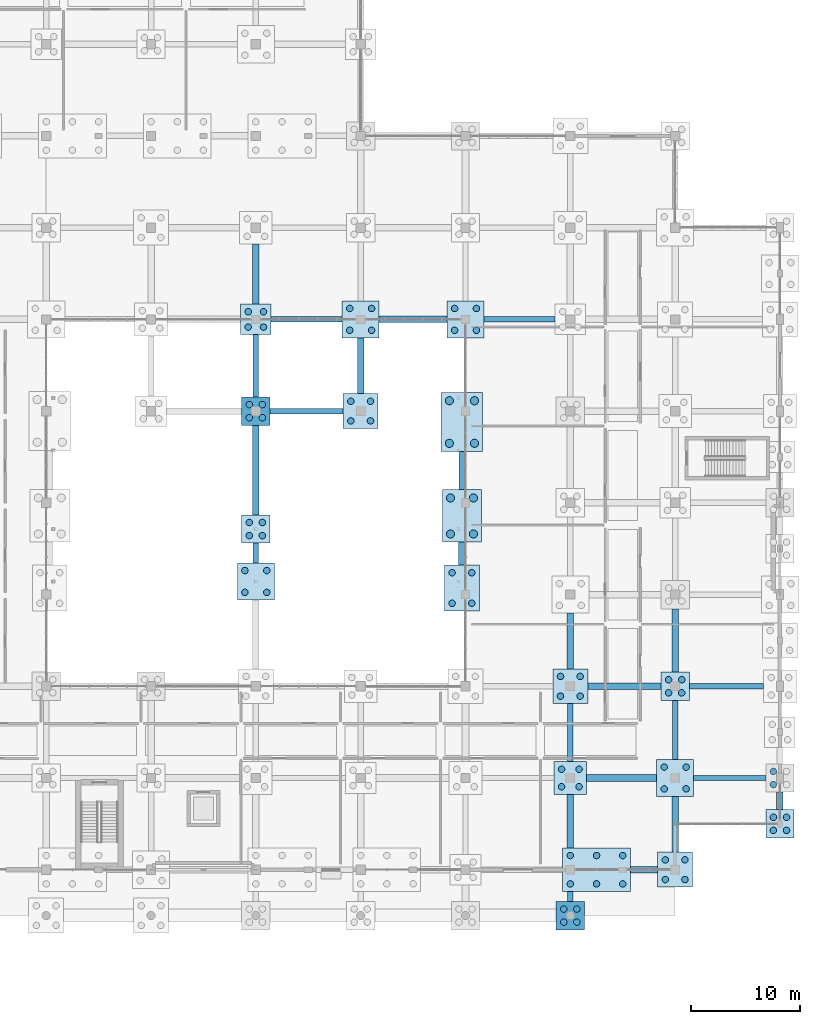
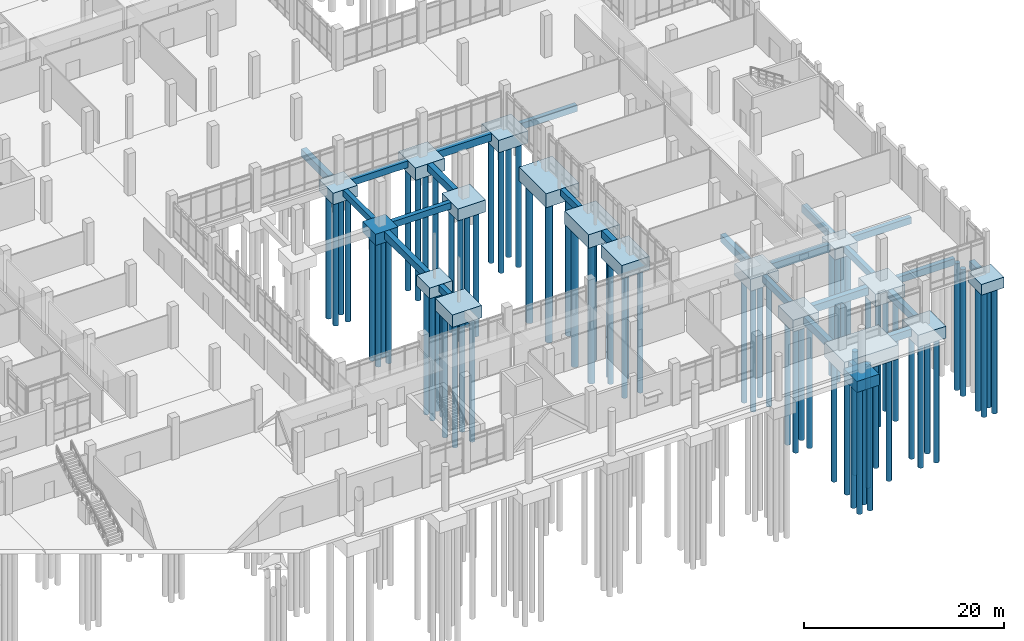
# One storey, part 13 of 136: 76 piles, 42 footings.
"""IFC4 building model written with IfcOpenShell, lengths in metres."""

import ifcopenshell
import ifcopenshell.guid

model = None  # the IFC model being written
_history = None  # IfcOwnerHistory: only IFC2X3 demands one
_inside = {}  # id of a spatial element -> (the spatial element, [elements in it])
_under = {}  # id of a project, library or spatial element -> (it, [spatial elements below it])
_declared = {}  # id of a project -> (the project, [libraries it declares])
_typed = {}  # id of a type object -> (the type object, [elements of that type])
_made_of = {}  # id of a material, layer set ... -> (it, [elements and type objects made of it])


def new_model(schema):
    """Start an empty IFC model of exactly this schema.

    Asked for "IFC4X3", IfcOpenShell would pick the latest addendum, in which some entities
    have other attributes; the version numbers below select the first issue.
    IFC2X3 requires an IfcOwnerHistory on every rooted entity: one is made here for all.
    """
    global model, _history
    if schema == "IFC4X3":
        model = ifcopenshell.file(schema_version=(4, 3, 0, 0))
    else:
        model = ifcopenshell.file(schema=schema)
    _inside.clear()
    _under.clear()
    _declared.clear()
    _typed.clear()
    _made_of.clear()
    _history = None
    if model.schema == "IFC2X3":
        org = make("IfcOrganization", Name="unknown")
        user = make(
            "IfcPersonAndOrganization",
            ThePerson=make("IfcPerson", FamilyName="unknown"),
            TheOrganization=org,
        )
        app = make(
            "IfcApplication",
            ApplicationDeveloper=org,
            Version="unknown",
            ApplicationFullName="unknown",
            ApplicationIdentifier="unknown",
        )
        _history = make(
            "IfcOwnerHistory",
            OwningUser=user,
            OwningApplication=app,
            ChangeAction="ADDED",
            CreationDate=0,
        )
    return model


def make(cls, **values):
    """One entity of the class cls with the attributes given. An attribute that is None is left unset."""
    return model.create_entity(
        cls, **{name: value for name, value in values.items() if value is not None}
    )


def rooted(cls, **values):
    """An entity with a GlobalId (a new one), such as an element, a storey or a relation."""
    return make(cls, GlobalId=ifcopenshell.guid.new(), OwnerHistory=_history, **values)


def si_unit(unit_type, name, prefix=None):
    """IfcSIUnit, for example si_unit("LENGTHUNIT", "METRE", prefix="MILLI")."""
    return make("IfcSIUnit", UnitType=unit_type, Prefix=prefix, Name=name)


def assignment(units):
    """IfcUnitAssignment: the units of a project."""
    return None if units is None else make("IfcUnitAssignment", Units=units)


def point(xyz):
    """IfcCartesianPoint."""
    return None if xyz is None else make("IfcCartesianPoint", Coordinates=xyz)


def direction(xyz):
    """IfcDirection."""
    return None if xyz is None else make("IfcDirection", DirectionRatios=xyz)


def frame(location, z_axis=None, x_axis=None):
    """IfcAxis2Placement3D, a coordinate frame: its origin and axes. An axis left out is left unset."""
    return make(
        "IfcAxis2Placement3D",
        Location=point(location),
        Axis=direction(z_axis),
        RefDirection=direction(x_axis),
    )


def frame_2d(location, x_axis=None):
    """IfcAxis2Placement2D, a coordinate frame in the plane: its origin and x axis."""
    return make(
        "IfcAxis2Placement2D", Location=point(location), RefDirection=direction(x_axis)
    )


def origin():
    """The frame at (0, 0, 0) with its axes left unset."""
    return frame((0.0, 0.0, 0.0))


def origin_2d():
    """The frame at (0, 0) in the plane with its x axis left unset."""
    return frame_2d((0.0, 0.0))


def place(relative_to, where):
    """IfcLocalPlacement: puts the frame where relative to a parent placement (None: the world)."""
    return make(
        "IfcLocalPlacement", PlacementRelTo=relative_to, RelativePlacement=where
    )


def context(
    kind, dimensions, precision=None, world=None, true_north=None, identifier=None
):
    """IfcGeometricRepresentationContext, for example the 3D "Model" context."""
    return make(
        "IfcGeometricRepresentationContext",
        ContextIdentifier=identifier,
        ContextType=kind,
        CoordinateSpaceDimension=dimensions,
        Precision=precision,
        WorldCoordinateSystem=world,
        TrueNorth=true_north,
    )


def subcontext(parent, identifier, kind, view, scale=None):
    """IfcGeometricRepresentationSubContext, for example "Body" below "Model"."""
    return make(
        "IfcGeometricRepresentationSubContext",
        ContextIdentifier=identifier,
        ContextType=kind,
        ParentContext=parent,
        TargetScale=scale,
        TargetView=view,
    )


def project(units=None, contexts=None):
    """IfcProject with its units and contexts."""
    return rooted(
        "IfcProject",
        Name="project",
        RepresentationContexts=contexts,
        UnitsInContext=assignment(units),
    )


def spatial(cls, under=None, at=None, **own):
    """A site, building, storey or space (cls), placed at a placement, below another one or the project."""
    s = rooted(cls, ObjectPlacement=at, **own)
    if under is not None:
        _under.setdefault(under.id(), (under, []))[1].append(s)
    return s


def profile(cls, at=None, kind="AREA", **sizes):
    """A parametric profile (cls). Its sizes go by their IFC names, for example OverallWidth=200.0."""
    return make(cls, ProfileType=kind, Position=at, **sizes)


def rectangle(**sizes):
    """IfcRectangleProfileDef."""
    return profile("IfcRectangleProfileDef", **sizes)


def circle(**sizes):
    """IfcCircleProfileDef."""
    return profile("IfcCircleProfileDef", **sizes)


def extrude(swept, where, along, depth):
    """IfcExtrudedAreaSolid: the profile swept, set in the frame where, extruded along a direction by depth."""
    return make(
        "IfcExtrudedAreaSolid",
        SweptArea=swept,
        Position=where,
        ExtrudedDirection=direction(along),
        Depth=depth,
    )


def shape(context_of_items, identifier, shape_type, items):
    """IfcShapeRepresentation: the items that make up one representation, for example the "Body"."""
    return make(
        "IfcShapeRepresentation",
        ContextOfItems=context_of_items,
        RepresentationIdentifier=identifier,
        RepresentationType=shape_type,
        Items=items,
    )


def material(Name=None, Category=None):
    """IfcMaterial."""
    return make("IfcMaterial", Name=Name, Category=Category)


def material_profile(
    of_material, cross_section, Name=None, Category=None, Priority=None
):
    """IfcMaterialProfile: a cross section and its material."""
    return make(
        "IfcMaterialProfile",
        Name=Name,
        Material=of_material,
        Profile=cross_section,
        Priority=Priority,
        Category=Category,
    )


def profile_set(profiles, Name=None, composite=None):
    """IfcMaterialProfileSet."""
    return make(
        "IfcMaterialProfileSet",
        Name=Name,
        MaterialProfiles=profiles,
        CompositeProfile=composite,
    )


def made_of(thing, what):
    """Note that an element or type object is made of a material, layer set ...; save() writes the relation."""
    if what is not None:
        _made_of.setdefault(what.id(), (what, []))[1].append(thing)
    return thing


def type_object(cls, material=None, **own):
    """A type object (cls), such as IfcWallType, which elements share."""
    return made_of(rooted(cls, **own), material)


def element(
    cls,
    number,
    at=None,
    inside=None,
    cuts=None,
    type_object=None,
    material=None,
    context=None,
    identifier="Body",
    shape_type=None,
    held_by="IfcProductDefinitionShape",
    body=None,
    shapes=None,
    **own,
):
    """One element of the class cls, such as IfcWall. Its Tag is "e" and its number.

    at: its placement. inside: the storey or other place that contains it. cuts: it is an
    opening in that element (IfcRelVoidsElement). A single representation is given by context,
    identifier, shape_type and body (its items); several are given by shapes. held_by: the class
    of the entity that holds the representations. save() writes the other relations.
    """
    e = rooted(cls, Tag="e%d" % number, ObjectPlacement=at, **own)
    if body is not None:
        shapes = [shape(context, identifier, shape_type, body)]
    if shapes is not None:
        e.Representation = make(held_by, Representations=shapes)
    if inside is not None:
        _inside.setdefault(inside.id(), (inside, []))[1].append(e)
    if cuts is not None:
        rooted(
            "IfcRelVoidsElement", RelatingBuildingElement=cuts, RelatedOpeningElement=e
        )
    if type_object is not None:
        _typed.setdefault(type_object.id(), (type_object, []))[1].append(e)
    return made_of(e, material)


def aggregate(whole, parts):
    """IfcRelAggregates: a whole, such as a stair, and the parts it consists of."""
    return rooted("IfcRelAggregates", RelatingObject=whole, RelatedObjects=parts)


def save(model, path):
    """Write the relations noted so far, then the file.

    IfcRelAggregates (storeys below a building ...), IfcRelContainedInSpatialStructure (elements
    in a storey), IfcRelDefinesByType, IfcRelAssociatesMaterial and IfcRelDeclares: one each for
    every whole, place, type object, material and project.
    """
    for whole, parts in _under.values():
        aggregate(whole, parts)
    for where, things in _inside.values():
        rooted(
            "IfcRelContainedInSpatialStructure",
            RelatedElements=things,
            RelatingStructure=where,
        )
    for kind, things in _typed.values():
        rooted("IfcRelDefinesByType", RelatedObjects=things, RelatingType=kind)
    for what, things in _made_of.values():
        rooted("IfcRelAssociatesMaterial", RelatedObjects=things, RelatingMaterial=what)
    for by, libraries in _declared.values():
        rooted("IfcRelDeclares", RelatingContext=by, RelatedDefinitions=libraries)
    model.write(path)


model = new_model("IFC4")

# Units and contexts
model_context = context("Model", 3, precision=1e-05, world=origin(), true_north=direction((0.0, 1.0)))
body_context = subcontext(model_context, "Body", "Model", "MODEL_VIEW")
ifc_project = project(units=[si_unit("LENGTHUNIT", "METRE"), si_unit("AREAUNIT", "SQUARE_METRE"), si_unit("VOLUMEUNIT", "CUBIC_METRE"), si_unit("PLANEANGLEUNIT", "RADIAN"), si_unit("MASSUNIT", "GRAM", prefix="KILO")], contexts=[model_context])

# Site, building, storey
site_placement = place(None, origin())
site = spatial("IfcSite", under=ifc_project, at=site_placement, CompositionType="ELEMENT")
building_placement = place(site_placement, origin())
building = spatial("IfcBuilding", under=site, at=building_placement, Name="Oolite Switchyard Hospital", CompositionType="ELEMENT")
storey_placement = place(building_placement, origin())
storey = spatial("IfcBuildingStorey", under=building, at=storey_placement, Name="L00", CompositionType="ELEMENT", Elevation=0.0)

# Footings
ifc_material = material(Name="Concrete C40/50", Category="concrete")
footing_type_1 = type_object("IfcFootingType", Name="FTG-GB500X800", PredefinedType="FOOTING_BEAM", material=ifc_material)
footing_1_placement = place(storey_placement, frame((206.60009765625, 16.800048828125, -1.14990234375), z_axis=(0.0, 0.0, 1.0), x_axis=(1.0, 0.0, 0.0)))
element("IfcFooting", 1, at=footing_1_placement, inside=storey, type_object=footing_type_1, Name="L00 Grade Beam 34", PredefinedType="FOOTING_BEAM", context=body_context, shape_type="SweptSolid", body=[
    extrude(rectangle(XDim=6.60009765625, YDim=0.5, at=origin_2d()), origin(), (0.0, 0.0, 1.0), 0.800048828125),
])
footing_2_placement = place(storey_placement, frame((206.300048828125, 25.199951171875, -1.14990234375), z_axis=(0.0, 0.0, 1.0), x_axis=(1.0, 0.0, 0.0)))
element("IfcFooting", 2, at=footing_2_placement, inside=storey, type_object=footing_type_1, Name="L00 Grade Beam 56", PredefinedType="FOOTING_BEAM", context=body_context, shape_type="SweptSolid", body=[
    extrude(rectangle(XDim=6.800048828125, YDim=0.5, at=origin_2d()), origin(), (0.0, 0.0, 1.0), 0.800048828125),
])
footing_3_placement = place(storey_placement, frame((167.85009765625, 50.39990234375, -1.14990234375), z_axis=(0.0, 0.0, 1.0), x_axis=(1.0, 0.0, 0.0)))
element("IfcFooting", 3, at=footing_3_placement, inside=storey, type_object=footing_type_1, Name="L00 Grade Beam 92", PredefinedType="FOOTING_BEAM", context=body_context, shape_type="SweptSolid", body=[
    extrude(rectangle(XDim=6.699951171875, YDim=0.5, at=origin_2d()), origin(), (0.0, 0.0, 1.0), 0.800048828125),
])
for number, where, z_axis, x_axis, name in (
    (4, (167.85009765625, 58.800048828125, -1.14990234375), (0.0, 0.0, 1.0), (1.0, 0.0, 0.0), "L00 Grade Beam 106"),
    (5, (187.35009765625, 58.800048828125, -1.14990234375), (0.0, 0.0, 1.0), (1.0, 0.0, 0.0), "L00 Grade Beam 108"),
):
    element("IfcFooting", number, at=place(storey_placement, frame(where, z_axis=z_axis, x_axis=x_axis)), inside=storey, type_object=footing_type_1, Name=name, PredefinedType="FOOTING_BEAM", context=body_context, shape_type="SweptSolid", body=[
        extrude(rectangle(XDim=6.5, YDim=0.5, at=origin_2d()), origin(), (0.0, 0.0, 1.0), 0.800048828125),
    ])
footing_4_placement = place(storey_placement, frame((163.199951171875, 37.39990234375, -1.14990234375), z_axis=(0.0, 0.0, 1.0), x_axis=(0.0, 1.0, 0.0)))
element("IfcFooting", 6, at=footing_4_placement, inside=storey, type_object=footing_type_1, Name="L00 Grade Beam 459", PredefinedType="FOOTING_BEAM", context=body_context, shape_type="SweptSolid", body=[
    extrude(rectangle(XDim=1.800048828125, YDim=0.5, at=origin_2d()), origin(), (0.0, 0.0, 1.0), 0.800048828125),
])
footing_5_placement = place(storey_placement, frame((163.199951171875, 54.550048828125, -1.14990234375), z_axis=(0.0, 0.0, 1.0), x_axis=(0.0, 1.0, 0.0)))
element("IfcFooting", 7, at=footing_5_placement, inside=storey, type_object=footing_type_1, Name="L00 Grade Beam 461", PredefinedType="FOOTING_BEAM", context=body_context, shape_type="SweptSolid", body=[
    extrude(rectangle(XDim=5.699951171875, YDim=0.5, at=origin_2d()), origin(), (0.0, 0.0, 1.0), 0.800048828125),
])
footing_6_placement = place(storey_placement, frame((182.074951171875, 44.949951171875, -1.14990234375), z_axis=(0.0, 0.0, 1.0), x_axis=(0.0, 1.0, 0.0)))
element("IfcFooting", 8, at=footing_6_placement, inside=storey, type_object=footing_type_1, Name="L00 Grade Beam 483", PredefinedType="FOOTING_BEAM", context=body_context, shape_type="SweptSolid", body=[
    extrude(rectangle(XDim=3.5, YDim=0.5, at=origin_2d()), origin(), (0.0, 0.0, 1.0), 0.800048828125),
])
footing_7_placement = place(storey_placement, frame((192.0, 5.949951171875, -1.14990234375), z_axis=(0.0, 0.0, 1.0), x_axis=(0.0, 1.0, 0.0)))
element("IfcFooting", 9, at=footing_7_placement, inside=storey, type_object=footing_type_1, Name="L00 Grade Beam 493", PredefinedType="FOOTING_BEAM", context=body_context, shape_type="SweptSolid", body=[
    extrude(rectangle(XDim=0.89990234375, YDim=0.5, at=origin_2d()), origin(), (0.0, 0.0, 1.0), 0.800048828125),
])
footing_8_placement = place(storey_placement, frame((192.0, 20.949951171875, -1.14990234375), z_axis=(0.0, 0.0, 1.0), x_axis=(0.0, 1.0, 0.0)))
element("IfcFooting", 10, at=footing_8_placement, inside=storey, type_object=footing_type_1, Name="L00 Grade Beam 495", PredefinedType="FOOTING_BEAM", context=body_context, shape_type="SweptSolid", body=[
    extrude(rectangle(XDim=5.300048828125, YDim=0.5, at=origin_2d()), origin(), (0.0, 0.0, 1.0), 0.800048828125),
])
footing_9_placement = place(storey_placement, frame((201.60009765625, 21.199951171875, -1.14990234375), z_axis=(0.0, 0.0, 1.0), x_axis=(0.0, 1.0, 0.0)))
element("IfcFooting", 11, at=footing_9_placement, inside=storey, type_object=footing_type_1, Name="L00 Grade Beam 507", PredefinedType="FOOTING_BEAM", context=body_context, shape_type="SweptSolid", body=[
    extrude(rectangle(XDim=5.39990234375, YDim=0.5, at=origin_2d()), origin(), (0.0, 0.0, 1.0), 0.800048828125),
])
footing_type_2 = type_object("IfcFootingType", Name="FTG-GB600X900", PredefinedType="FOOTING_BEAM", material=ifc_material)
footing_10_placement = place(storey_placement, frame((198.75, 8.39990234375, -1.25), z_axis=(0.0, 0.0, 1.0), x_axis=(1.0, 0.0, 0.0)))
element("IfcFooting", 12, at=footing_10_placement, inside=storey, type_object=footing_type_2, Name="L00 Grade Beam 19", PredefinedType="FOOTING_BEAM", context=body_context, shape_type="SweptSolid", body=[
    extrude(rectangle(XDim=2.5, YDim=0.60009765625, at=origin_2d()), origin(), (0.0, 0.0, 1.0), 0.89990234375),
])
footing_11_placement = place(storey_placement, frame((196.699951171875, 16.800048828125, -1.25), z_axis=(0.0, 0.0, 1.0), x_axis=(1.0, 0.0, 0.0)))
element("IfcFooting", 13, at=footing_11_placement, inside=storey, type_object=footing_type_2, Name="L00 Grade Beam 33", PredefinedType="FOOTING_BEAM", context=body_context, shape_type="SweptSolid", body=[
    extrude(rectangle(XDim=6.39990234375, YDim=0.60009765625, at=origin_2d()), origin(), (0.0, 0.0, 1.0), 0.89990234375),
])
footing_12_placement = place(storey_placement, frame((196.949951171875, 25.199951171875, -1.25), z_axis=(0.0, 0.0, 1.0), x_axis=(1.0, 0.0, 0.0)))
element("IfcFooting", 14, at=footing_12_placement, inside=storey, type_object=footing_type_2, Name="L00 Grade Beam 55", PredefinedType="FOOTING_BEAM", context=body_context, shape_type="SweptSolid", body=[
    extrude(rectangle(XDim=6.699951171875, YDim=0.60009765625, at=origin_2d()), origin(), (0.0, 0.0, 1.0), 0.89990234375),
])
footing_13_placement = place(storey_placement, frame((177.60009765625, 58.800048828125, -1.25), z_axis=(0.0, 0.0, 1.0), x_axis=(1.0, 0.0, 0.0)))
element("IfcFooting", 15, at=footing_13_placement, inside=storey, type_object=footing_type_2, Name="L00 Grade Beam 107", PredefinedType="FOOTING_BEAM", context=body_context, shape_type="SweptSolid", body=[
    extrude(rectangle(XDim=6.199951171875, YDim=0.60009765625, at=origin_2d()), origin(), (0.0, 0.0, 1.0), 0.89990234375),
])
footing_14_placement = place(storey_placement, frame((163.199951171875, 45.0, -1.25), z_axis=(0.0, 0.0, 1.0), x_axis=(0.0, 1.0, 0.0)))
element("IfcFooting", 16, at=footing_14_placement, inside=storey, type_object=footing_type_2, Name="L00 Grade Beam 460", PredefinedType="FOOTING_BEAM", context=body_context, shape_type="SweptSolid", body=[
    extrude(rectangle(XDim=8.199951171875, YDim=0.60009765625, at=origin_2d()), origin(), (0.0, 0.0, 1.0), 0.89990234375),
])
footing_15_placement = place(storey_placement, frame((163.199951171875, 62.949951171875, -1.25), z_axis=(0.0, 0.0, 1.0), x_axis=(0.0, 1.0, 0.0)))
element("IfcFooting", 17, at=footing_15_placement, inside=storey, type_object=footing_type_2, Name="L00 Grade Beam 462", PredefinedType="FOOTING_BEAM", context=body_context, shape_type="SweptSolid", body=[
    extrude(rectangle(XDim=5.5, YDim=0.60009765625, at=origin_2d()), origin(), (0.0, 0.0, 1.0), 0.89990234375),
])
footing_16_placement = place(storey_placement, frame((172.800048828125, 54.550048828125, -1.25), z_axis=(0.0, 0.0, 1.0), x_axis=(0.0, 1.0, 0.0)))
element("IfcFooting", 18, at=footing_16_placement, inside=storey, type_object=footing_type_2, Name="L00 Grade Beam 472", PredefinedType="FOOTING_BEAM", context=body_context, shape_type="SweptSolid", body=[
    extrude(rectangle(XDim=5.10009765625, YDim=0.60009765625, at=origin_2d()), origin(), (0.0, 0.0, 1.0), 0.89990234375),
])
footing_17_placement = place(storey_placement, frame((182.074951171875, 37.35009765625, -1.25), z_axis=(0.0, 0.0, 1.0), x_axis=(0.0, 1.0, 0.0)))
element("IfcFooting", 19, at=footing_17_placement, inside=storey, type_object=footing_type_2, Name="L00 Grade Beam 482", PredefinedType="FOOTING_BEAM", context=body_context, shape_type="SweptSolid", body=[
    extrude(rectangle(XDim=2.10009765625, YDim=0.60009765625, at=origin_2d()), origin(), (0.0, 0.0, 1.0), 0.89990234375),
])
footing_18_placement = place(storey_placement, frame((192.0, 12.85009765625, -1.25), z_axis=(0.0, 0.0, 1.0), x_axis=(0.0, 1.0, 0.0)))
element("IfcFooting", 20, at=footing_18_placement, inside=storey, type_object=footing_type_2, Name="L00 Grade Beam 494", PredefinedType="FOOTING_BEAM", context=body_context, shape_type="SweptSolid", body=[
    extrude(rectangle(XDim=4.89990234375, YDim=0.60009765625, at=origin_2d()), origin(), (0.0, 0.0, 1.0), 0.89990234375),
])
for number, where, z_axis, x_axis, name in (
    (21, (192.0, 29.35009765625, -1.25), (0.0, 0.0, 1.0), (0.0, 1.0, 0.0), "L00 Grade Beam 496"),
    (22, (201.60009765625, 12.550048828125, -1.25), (0.0, 0.0, 1.0), (0.0, 1.0, 0.0), "L00 Grade Beam 506"),
):
    element("IfcFooting", number, at=place(storey_placement, frame(where, z_axis=z_axis, x_axis=x_axis)), inside=storey, type_object=footing_type_2, Name=name, PredefinedType="FOOTING_BEAM", context=body_context, shape_type="SweptSolid", body=[
        extrude(rectangle(XDim=5.10009765625, YDim=0.60009765625, at=origin_2d()), origin(), (0.0, 0.0, 1.0), 0.89990234375),
    ])
footing_19_placement = place(storey_placement, frame((201.60009765625, 29.39990234375, -1.25), z_axis=(0.0, 0.0, 1.0), x_axis=(0.0, 1.0, 0.0)))
element("IfcFooting", 23, at=footing_19_placement, inside=storey, type_object=footing_type_2, Name="L00 Grade Beam 508", PredefinedType="FOOTING_BEAM", context=body_context, shape_type="SweptSolid", body=[
    extrude(rectangle(XDim=5.800048828125, YDim=0.60009765625, at=origin_2d()), origin(), (0.0, 0.0, 1.0), 0.89990234375),
])
footing_20_placement = place(storey_placement, frame((211.199951171875, 14.699951171875, -1.25), z_axis=(0.0, 0.0, 1.0), x_axis=(0.0, 1.0, 0.0)))
element("IfcFooting", 24, at=footing_20_placement, inside=storey, type_object=footing_type_2, Name="L00 Grade Beam 518", PredefinedType="FOOTING_BEAM", context=body_context, shape_type="SweptSolid", body=[
    extrude(rectangle(XDim=1.60009765625, YDim=0.60009765625, at=origin_2d()), origin(), (0.0, 0.0, 1.0), 0.89990234375),
])
footing_type_3 = type_object("IfcFootingType", Name="FTG-PC24", PredefinedType="PILE_CAP", material=ifc_material)
for number, where, z_axis, x_axis, name in (
    (25, (163.199951171875, 39.60009765625, -1.64990234375), (0.0, 0.0, 1.0), (1.0, 0.0, 0.0), "L00 Multi-Pile Cap 240"),
    (26, (201.60009765625, 25.199951171875, -1.64990234375), (0.0, 0.0, 1.0), (1.0, 0.0, 0.0), "L00 Multi-Pile Cap 299"),
    (27, (211.199951171875, 12.60009765625, -1.64990234375), (0.0, 0.0, 1.0), (1.0, 0.0, 0.0), "L00 Multi-Pile Cap 311"),
):
    element("IfcFooting", number, at=place(storey_placement, frame(where, z_axis=z_axis, x_axis=x_axis)), inside=storey, type_object=footing_type_3, Name=name, PredefinedType="PILE_CAP", context=body_context, shape_type="SweptSolid", body=[
        extrude(rectangle(XDim=2.60009765625, YDim=2.60009765625, at=origin_2d()), origin(), (0.0, 0.0, 1.0), 1.300048828125),
    ])
footing_type_4 = type_object("IfcFootingType", Name="FTG-PC26", PredefinedType="PILE_CAP", material=ifc_material)
for number, where, z_axis, x_axis, name in (
    (28, (163.199951171875, 50.39990234375, -1.699951171875), (0.0, 0.0, 1.0), (1.0, 0.0, 0.0), "L00 Multi-Pile Cap 241"),
    (29, (192.0, 4.199951171875, -1.699951171875), (0.0, 0.0, 1.0), (1.0, 0.0, 0.0), "L00 Multi-Pile Cap 282"),
):
    element("IfcFooting", number, at=place(storey_placement, frame(where, z_axis=z_axis, x_axis=x_axis)), inside=storey, type_object=footing_type_4, Name=name, PredefinedType="PILE_CAP", context=body_context, shape_type="SweptSolid", body=[
        extrude(rectangle(XDim=2.60009765625, YDim=2.60009765625, at=origin_2d()), origin(), (0.0, 0.0, 1.0), 1.35009765625),
    ])
footing_type_5 = type_object("IfcFootingType", Name="FTG-PC28", PredefinedType="PILE_CAP", material=ifc_material)
footing_21_placement = place(storey_placement, frame((163.199951171875, 58.800048828125, -1.75), z_axis=(0.0, 0.0, 1.0), x_axis=(1.0, 0.0, 0.0)))
element("IfcFooting", 30, at=footing_21_placement, inside=storey, type_object=footing_type_5, Name="L00 Multi-Pile Cap 242", PredefinedType="PILE_CAP", context=body_context, shape_type="SweptSolid", body=[
    extrude(rectangle(XDim=2.800048828125, YDim=2.800048828125, at=origin_2d()), origin(), (0.0, 0.0, 1.0), 1.39990234375),
])
footing_type_6 = type_object("IfcFootingType", Name="FTG-PC30", PredefinedType="PILE_CAP", material=ifc_material)
footing_22_placement = place(storey_placement, frame((192.0, 16.800048828125, -1.77001953125), z_axis=(0.0, 0.0, 1.0), x_axis=(1.0, 0.0, 0.0)))
element("IfcFooting", 31, at=footing_22_placement, inside=storey, type_object=footing_type_6, Name="L00 Multi-Pile Cap 284", PredefinedType="PILE_CAP", context=body_context, shape_type="SweptSolid", body=[
    extrude(rectangle(XDim=3.0, YDim=3.0, at=origin_2d()), origin(), (0.0, 0.0, 1.0), 1.419921875),
])
footing_type_7 = type_object("IfcFootingType", Name="FTG-PC32", PredefinedType="PILE_CAP", material=ifc_material)
for number, where, z_axis, x_axis, name in (
    (32, (172.800048828125, 50.39990234375, -1.7998046875), (0.0, 0.0, 1.0), (1.0, 0.0, 0.0), "L00 Multi-Pile Cap 256"),
    (33, (192.0, 25.199951171875, -1.7998046875), (0.0, 0.0, 1.0), (1.0, 0.0, 0.0), "L00 Multi-Pile Cap 285"),
    (34, (201.60009765625, 8.39990234375, -1.7998046875), (0.0, 0.0, 1.0), (1.0, 0.0, 0.0), "L00 Multi-Pile Cap 297"),
):
    element("IfcFooting", number, at=place(storey_placement, frame(where, z_axis=z_axis, x_axis=x_axis)), inside=storey, type_object=footing_type_7, Name=name, PredefinedType="PILE_CAP", context=body_context, shape_type="SweptSolid", body=[
        extrude(rectangle(XDim=3.199951171875, YDim=3.199951171875, at=origin_2d()), origin(), (0.0, 0.0, 1.0), 1.449951171875),
    ])
footing_type_8 = type_object("IfcFootingType", Name="FTG-PC34", PredefinedType="PILE_CAP", material=ifc_material)
for number, where, z_axis, x_axis, name in (
    (35, (163.199951171875, 34.800048828125, -1.85009765625), (0.0, 0.0, 1.0), (1.0, 0.0, 0.0), "L00 Multi-Pile Cap 239"),
    (36, (172.800048828125, 58.800048828125, -1.85009765625), (0.0, 0.0, 1.0), (1.0, 0.0, 0.0), "L00 Multi-Pile Cap 257"),
    (37, (182.39990234375, 58.800048828125, -1.85009765625), (0.0, 0.0, 1.0), (1.0, 0.0, 0.0), "L00 Multi-Pile Cap 274"),
    (38, (201.60009765625, 16.800048828125, -1.85009765625), (0.0, 0.0, 1.0), (1.0, 0.0, 0.0), "L00 Multi-Pile Cap 298"),
):
    element("IfcFooting", number, at=place(storey_placement, frame(where, z_axis=z_axis, x_axis=x_axis)), inside=storey, type_object=footing_type_8, Name=name, PredefinedType="PILE_CAP", context=body_context, shape_type="SweptSolid", body=[
        extrude(rectangle(XDim=3.39990234375, YDim=3.39990234375, at=origin_2d()), origin(), (0.0, 0.0, 1.0), 1.5),
    ])
footing_type_9 = type_object("IfcFootingType", Name="FTG-PC42X32", PredefinedType="PILE_CAP", material=ifc_material)
footing_23_placement = place(storey_placement, frame((182.074951171875, 34.199951171875, -1.949951171875), z_axis=(0.0, 0.0, 1.0), x_axis=(0.0, 1.0, 0.0)))
element("IfcFooting", 39, at=footing_23_placement, inside=storey, type_object=footing_type_9, Name="L00 Multi-Pile Cap 267", PredefinedType="PILE_CAP", context=body_context, shape_type="SweptSolid", body=[
    extrude(rectangle(XDim=4.199951171875, YDim=3.199951171875, at=origin_2d()), origin(), (0.0, 0.0, 1.0), 1.60009765625),
])
footing_type_10 = type_object("IfcFootingType", Name="FTG-PC48X36", PredefinedType="PILE_CAP", material=ifc_material)
footing_24_placement = place(storey_placement, frame((182.074951171875, 40.800048828125, -2.0), z_axis=(0.0, 0.0, 1.0), x_axis=(0.0, 1.0, 0.0)))
element("IfcFooting", 40, at=footing_24_placement, inside=storey, type_object=footing_type_10, Name="L00 Multi-Pile Cap 268", PredefinedType="PILE_CAP", context=body_context, shape_type="SweptSolid", body=[
    extrude(rectangle(XDim=4.800048828125, YDim=3.60009765625, at=origin_2d()), origin(), (0.0, 0.0, 1.0), 1.64990234375),
])
footing_type_11 = type_object("IfcFootingType", Name="FTG-PC54X38", PredefinedType="PILE_CAP", material=ifc_material)
footing_25_placement = place(storey_placement, frame((182.074951171875, 49.39990234375, -2.0498046875), z_axis=(0.0, 0.0, 1.0), x_axis=(0.0, 1.0, 0.0)))
element("IfcFooting", 41, at=footing_25_placement, inside=storey, type_object=footing_type_11, Name="L00 Multi-Pile Cap 269", PredefinedType="PILE_CAP", context=body_context, shape_type="SweptSolid", body=[
    extrude(rectangle(XDim=5.39990234375, YDim=3.800048828125, at=origin_2d()), origin(), (0.0, 0.0, 1.0), 1.699951171875),
])
footing_type_12 = type_object("IfcFootingType", Name="FTG-PC62X40", PredefinedType="PILE_CAP", material=ifc_material)
footing_26_placement = place(storey_placement, frame((194.39990234375, 8.39990234375, -2.10009765625), z_axis=(0.0, 0.0, 1.0), x_axis=(1.0, 0.0, 0.0)))
element("IfcFooting", 42, at=footing_26_placement, inside=storey, type_object=footing_type_12, Name="L00 Multi-Pile Cap 283", PredefinedType="PILE_CAP", context=body_context, shape_type="SweptSolid", body=[
    extrude(rectangle(XDim=6.199951171875, YDim=4.0, at=origin_2d()), origin(), (0.0, 0.0, 1.0), 1.75),
])

# Piles
ifc_material_profile_1 = material_profile(ifc_material, circle(Radius=0.300048828125, at=origin_2d()), Name="PILE600")
ifc_profile_set_1 = profile_set([ifc_material_profile_1], Name="Concrete C40/50")
pile_type_1 = type_object("IfcPileType", Name="PILE-ACIP600", PredefinedType="BORED", material=ifc_profile_set_1)
for number, where, z_axis, x_axis, name in (
    (43, (162.199951171875, 33.800048828125, -1.699951171875), (0.0, 0.0, -1.0), (1.0, 0.0, 0.0), "Augercast Pile 963"),
    (44, (164.199951171875, 33.800048828125, -1.699951171875), (0.0, 0.0, -1.0), (1.0, 0.0, 0.0), "Augercast Pile 964"),
    (45, (162.199951171875, 35.800048828125, -1.699951171875), (0.0, 0.0, -1.0), (1.0, 0.0, 0.0), "Augercast Pile 965"),
    (46, (164.199951171875, 35.800048828125, -1.699951171875), (0.0, 0.0, -1.0), (1.0, 0.0, 0.0), "Augercast Pile 966"),
):
    element("IfcPile", number, at=place(storey_placement, frame(where, z_axis=z_axis, x_axis=x_axis)), inside=storey, type_object=pile_type_1, Name=name, PredefinedType="BORED", context=body_context, shape_type="SweptSolid", body=[
        extrude(circle(Radius=0.300048828125, at=origin_2d()), origin(), (0.0, 0.0, 1.0), 15.300048828125),
    ])
for number, where, z_axis, x_axis, name in (
    (47, (162.60009765625, 39.0, -1.5), (0.0, 0.0, -1.0), (1.0, 0.0, 0.0), "Augercast Pile 967"),
    (48, (163.800048828125, 39.0, -1.5), (0.0, 0.0, -1.0), (1.0, 0.0, 0.0), "Augercast Pile 968"),
    (49, (162.60009765625, 40.199951171875, -1.5), (0.0, 0.0, -1.0), (1.0, 0.0, 0.0), "Augercast Pile 969"),
    (50, (163.800048828125, 40.199951171875, -1.5), (0.0, 0.0, -1.0), (1.0, 0.0, 0.0), "Augercast Pile 970"),
):
    element("IfcPile", number, at=place(storey_placement, frame(where, z_axis=z_axis, x_axis=x_axis)), inside=storey, type_object=pile_type_1, Name=name, PredefinedType="BORED", context=body_context, shape_type="SweptSolid", body=[
        extrude(circle(Radius=0.300048828125, at=origin_2d()), origin(), (0.0, 0.0, 1.0), 15.5),
    ])
for number, where, z_axis, x_axis, name in (
    (51, (162.60009765625, 49.800048828125, -1.550048828125), (0.0, 0.0, -1.0), (1.0, 0.0, 0.0), "Augercast Pile 971"),
    (52, (163.800048828125, 49.800048828125, -1.550048828125), (0.0, 0.0, -1.0), (1.0, 0.0, 0.0), "Augercast Pile 972"),
    (53, (162.60009765625, 51.0, -1.550048828125), (0.0, 0.0, -1.0), (1.0, 0.0, 0.0), "Augercast Pile 973"),
    (54, (163.800048828125, 51.0, -1.550048828125), (0.0, 0.0, -1.0), (1.0, 0.0, 0.0), "Augercast Pile 974"),
):
    element("IfcPile", number, at=place(storey_placement, frame(where, z_axis=z_axis, x_axis=x_axis)), inside=storey, type_object=pile_type_1, Name=name, PredefinedType="BORED", context=body_context, shape_type="SweptSolid", body=[
        extrude(circle(Radius=0.300048828125, at=origin_2d()), origin(), (0.0, 0.0, 1.0), 15.449951171875),
    ])
for number, where, z_axis, x_axis, name in (
    (55, (162.5, 58.10009765625, -1.60009765625), (0.0, 0.0, -1.0), (1.0, 0.0, 0.0), "Augercast Pile 975"),
    (56, (163.89990234375, 58.10009765625, -1.60009765625), (0.0, 0.0, -1.0), (1.0, 0.0, 0.0), "Augercast Pile 976"),
    (57, (162.5, 59.5, -1.60009765625), (0.0, 0.0, -1.0), (1.0, 0.0, 0.0), "Augercast Pile 977"),
    (58, (163.89990234375, 59.5, -1.60009765625), (0.0, 0.0, -1.0), (1.0, 0.0, 0.0), "Augercast Pile 978"),
):
    element("IfcPile", number, at=place(storey_placement, frame(where, z_axis=z_axis, x_axis=x_axis)), inside=storey, type_object=pile_type_1, Name=name, PredefinedType="BORED", context=body_context, shape_type="SweptSolid", body=[
        extrude(circle(Radius=0.300048828125, at=origin_2d()), origin(), (0.0, 0.0, 1.0), 15.39990234375),
    ])
for number, where, z_axis, x_axis, name in (
    (59, (171.89990234375, 49.5, -1.64990234375), (0.0, 0.0, -1.0), (1.0, 0.0, 0.0), "Augercast Pile 1035"),
    (60, (173.699951171875, 49.5, -1.64990234375), (0.0, 0.0, -1.0), (1.0, 0.0, 0.0), "Augercast Pile 1036"),
    (61, (171.89990234375, 51.300048828125, -1.64990234375), (0.0, 0.0, -1.0), (1.0, 0.0, 0.0), "Augercast Pile 1037"),
    (62, (173.699951171875, 51.300048828125, -1.64990234375), (0.0, 0.0, -1.0), (1.0, 0.0, 0.0), "Augercast Pile 1038"),
):
    element("IfcPile", number, at=place(storey_placement, frame(where, z_axis=z_axis, x_axis=x_axis)), inside=storey, type_object=pile_type_1, Name=name, PredefinedType="BORED", context=body_context, shape_type="SweptSolid", body=[
        extrude(circle(Radius=0.300048828125, at=origin_2d()), origin(), (0.0, 0.0, 1.0), 15.35009765625),
    ])
for number, where, z_axis, x_axis, name in (
    (63, (171.800048828125, 57.800048828125, -1.699951171875), (0.0, 0.0, -1.0), (1.0, 0.0, 0.0), "Augercast Pile 1039"),
    (64, (173.800048828125, 57.800048828125, -1.699951171875), (0.0, 0.0, -1.0), (1.0, 0.0, 0.0), "Augercast Pile 1040"),
    (65, (171.800048828125, 59.800048828125, -1.699951171875), (0.0, 0.0, -1.0), (1.0, 0.0, 0.0), "Augercast Pile 1041"),
    (66, (173.800048828125, 59.800048828125, -1.699951171875), (0.0, 0.0, -1.0), (1.0, 0.0, 0.0), "Augercast Pile 1042"),
):
    element("IfcPile", number, at=place(storey_placement, frame(where, z_axis=z_axis, x_axis=x_axis)), inside=storey, type_object=pile_type_1, Name=name, PredefinedType="BORED", context=body_context, shape_type="SweptSolid", body=[
        extrude(circle(Radius=0.300048828125, at=origin_2d()), origin(), (0.0, 0.0, 1.0), 15.300048828125),
    ])
for number, where, z_axis, x_axis, name in (
    (67, (181.175048828125, 32.800048828125, -1.800048828125), (0.0, 0.0, -1.0), (1.0, 0.0, 0.0), "Augercast Pile 1079"),
    (68, (182.97509765625, 32.800048828125, -1.800048828125), (0.0, 0.0, -1.0), (1.0, 0.0, 0.0), "Augercast Pile 1080"),
    (69, (181.175048828125, 35.60009765625, -1.800048828125), (0.0, 0.0, -1.0), (1.0, 0.0, 0.0), "Augercast Pile 1081"),
    (70, (182.97509765625, 35.60009765625, -1.800048828125), (0.0, 0.0, -1.0), (1.0, 0.0, 0.0), "Augercast Pile 1082"),
):
    element("IfcPile", number, at=place(storey_placement, frame(where, z_axis=z_axis, x_axis=x_axis)), inside=storey, type_object=pile_type_1, Name=name, PredefinedType="BORED", context=body_context, shape_type="SweptSolid", body=[
        extrude(circle(Radius=0.300048828125, at=origin_2d()), origin(), (0.0, 0.0, 1.0), 15.199951171875),
    ])
for number, where, z_axis, x_axis, name in (
    (71, (181.39990234375, 57.800048828125, -1.699951171875), (0.0, 0.0, -1.0), (1.0, 0.0, 0.0), "Augercast Pile 1107"),
    (72, (183.39990234375, 57.800048828125, -1.699951171875), (0.0, 0.0, -1.0), (1.0, 0.0, 0.0), "Augercast Pile 1108"),
    (73, (181.39990234375, 59.800048828125, -1.699951171875), (0.0, 0.0, -1.0), (1.0, 0.0, 0.0), "Augercast Pile 1109"),
    (74, (183.39990234375, 59.800048828125, -1.699951171875), (0.0, 0.0, -1.0), (1.0, 0.0, 0.0), "Augercast Pile 1110"),
):
    element("IfcPile", number, at=place(storey_placement, frame(where, z_axis=z_axis, x_axis=x_axis)), inside=storey, type_object=pile_type_1, Name=name, PredefinedType="BORED", context=body_context, shape_type="SweptSolid", body=[
        extrude(circle(Radius=0.300048828125, at=origin_2d()), origin(), (0.0, 0.0, 1.0), 15.300048828125),
    ])
for number, where, z_axis, x_axis, name in (
    (75, (191.39990234375, 3.60009765625, -1.550048828125), (0.0, 0.0, -1.0), (1.0, 0.0, 0.0), "Augercast Pile 1139"),
    (76, (192.60009765625, 3.60009765625, -1.550048828125), (0.0, 0.0, -1.0), (1.0, 0.0, 0.0), "Augercast Pile 1140"),
    (77, (191.39990234375, 4.800048828125, -1.550048828125), (0.0, 0.0, -1.0), (1.0, 0.0, 0.0), "Augercast Pile 1141"),
    (78, (192.60009765625, 4.800048828125, -1.550048828125), (0.0, 0.0, -1.0), (1.0, 0.0, 0.0), "Augercast Pile 1142"),
):
    element("IfcPile", number, at=place(storey_placement, frame(where, z_axis=z_axis, x_axis=x_axis)), inside=storey, type_object=pile_type_1, Name=name, PredefinedType="BORED", context=body_context, shape_type="SweptSolid", body=[
        extrude(circle(Radius=0.300048828125, at=origin_2d()), origin(), (0.0, 0.0, 1.0), 15.449951171875),
    ])
for number, where, z_axis, x_axis, name in (
    (79, (192.0, 7.10009765625, -1.949951171875), (0.0, 0.0, -1.0), (1.0, 0.0, 0.0), "Augercast Pile 1143"),
    (80, (194.39990234375, 7.10009765625, -1.949951171875), (0.0, 0.0, -1.0), (1.0, 0.0, 0.0), "Augercast Pile 1144"),
    (81, (196.800048828125, 7.10009765625, -1.949951171875), (0.0, 0.0, -1.0), (1.0, 0.0, 0.0), "Augercast Pile 1145"),
    (82, (192.0, 9.699951171875, -1.949951171875), (0.0, 0.0, -1.0), (1.0, 0.0, 0.0), "Augercast Pile 1146"),
    (83, (194.39990234375, 9.699951171875, -1.949951171875), (0.0, 0.0, -1.0), (1.0, 0.0, 0.0), "Augercast Pile 1147"),
    (84, (196.800048828125, 9.699951171875, -1.949951171875), (0.0, 0.0, -1.0), (1.0, 0.0, 0.0), "Augercast Pile 1148"),
):
    element("IfcPile", number, at=place(storey_placement, frame(where, z_axis=z_axis, x_axis=x_axis)), inside=storey, type_object=pile_type_1, Name=name, PredefinedType="BORED", context=body_context, shape_type="SweptSolid", body=[
        extrude(circle(Radius=0.300048828125, at=origin_2d()), origin(), (0.0, 0.0, 1.0), 15.050048828125),
    ])
for number, where, z_axis, x_axis, name in (
    (85, (191.199951171875, 16.0, -1.6201171875), (0.0, 0.0, -1.0), (1.0, 0.0, 0.0), "Augercast Pile 1149"),
    (86, (192.800048828125, 16.0, -1.6201171875), (0.0, 0.0, -1.0), (1.0, 0.0, 0.0), "Augercast Pile 1150"),
    (87, (191.199951171875, 17.60009765625, -1.6201171875), (0.0, 0.0, -1.0), (1.0, 0.0, 0.0), "Augercast Pile 1151"),
    (88, (192.800048828125, 17.60009765625, -1.6201171875), (0.0, 0.0, -1.0), (1.0, 0.0, 0.0), "Augercast Pile 1152"),
):
    element("IfcPile", number, at=place(storey_placement, frame(where, z_axis=z_axis, x_axis=x_axis)), inside=storey, type_object=pile_type_1, Name=name, PredefinedType="BORED", context=body_context, shape_type="SweptSolid", body=[
        extrude(circle(Radius=0.300048828125, at=origin_2d()), origin(), (0.0, 0.0, 1.0), 15.3798828125),
    ])
for number, where, z_axis, x_axis, name in (
    (89, (191.10009765625, 24.300048828125, -1.64990234375), (0.0, 0.0, -1.0), (1.0, 0.0, 0.0), "Augercast Pile 1153"),
    (90, (192.89990234375, 24.300048828125, -1.64990234375), (0.0, 0.0, -1.0), (1.0, 0.0, 0.0), "Augercast Pile 1154"),
    (91, (191.10009765625, 26.10009765625, -1.64990234375), (0.0, 0.0, -1.0), (1.0, 0.0, 0.0), "Augercast Pile 1155"),
    (92, (192.89990234375, 26.10009765625, -1.64990234375), (0.0, 0.0, -1.0), (1.0, 0.0, 0.0), "Augercast Pile 1156"),
    (93, (200.699951171875, 7.5, -1.64990234375), (0.0, 0.0, -1.0), (1.0, 0.0, 0.0), "Augercast Pile 1201"),
    (94, (202.5, 7.5, -1.64990234375), (0.0, 0.0, -1.0), (1.0, 0.0, 0.0), "Augercast Pile 1202"),
    (95, (200.699951171875, 9.300048828125, -1.64990234375), (0.0, 0.0, -1.0), (1.0, 0.0, 0.0), "Augercast Pile 1203"),
    (96, (202.5, 9.300048828125, -1.64990234375), (0.0, 0.0, -1.0), (1.0, 0.0, 0.0), "Augercast Pile 1204"),
):
    element("IfcPile", number, at=place(storey_placement, frame(where, z_axis=z_axis, x_axis=x_axis)), inside=storey, type_object=pile_type_1, Name=name, PredefinedType="BORED", context=body_context, shape_type="SweptSolid", body=[
        extrude(circle(Radius=0.300048828125, at=origin_2d()), origin(), (0.0, 0.0, 1.0), 15.35009765625),
    ])
for number, where, z_axis, x_axis, name in (
    (97, (200.60009765625, 15.800048828125, -1.699951171875), (0.0, 0.0, -1.0), (1.0, 0.0, 0.0), "Augercast Pile 1205"),
    (98, (202.60009765625, 15.800048828125, -1.699951171875), (0.0, 0.0, -1.0), (1.0, 0.0, 0.0), "Augercast Pile 1206"),
    (99, (200.60009765625, 17.800048828125, -1.699951171875), (0.0, 0.0, -1.0), (1.0, 0.0, 0.0), "Augercast Pile 1207"),
    (100, (202.60009765625, 17.800048828125, -1.699951171875), (0.0, 0.0, -1.0), (1.0, 0.0, 0.0), "Augercast Pile 1208"),
):
    element("IfcPile", number, at=place(storey_placement, frame(where, z_axis=z_axis, x_axis=x_axis)), inside=storey, type_object=pile_type_1, Name=name, PredefinedType="BORED", context=body_context, shape_type="SweptSolid", body=[
        extrude(circle(Radius=0.300048828125, at=origin_2d()), origin(), (0.0, 0.0, 1.0), 15.300048828125),
    ])
for number, where, z_axis, x_axis, name in (
    (101, (201.0, 24.60009765625, -1.5), (0.0, 0.0, -1.0), (1.0, 0.0, 0.0), "Augercast Pile 1209"),
    (102, (202.199951171875, 24.60009765625, -1.5), (0.0, 0.0, -1.0), (1.0, 0.0, 0.0), "Augercast Pile 1210"),
    (103, (201.0, 25.800048828125, -1.5), (0.0, 0.0, -1.0), (1.0, 0.0, 0.0), "Augercast Pile 1211"),
    (104, (202.199951171875, 25.800048828125, -1.5), (0.0, 0.0, -1.0), (1.0, 0.0, 0.0), "Augercast Pile 1212"),
    (105, (210.60009765625, 12.0, -1.5), (0.0, 0.0, -1.0), (1.0, 0.0, 0.0), "Augercast Pile 1257"),
    (106, (211.800048828125, 12.0, -1.5), (0.0, 0.0, -1.0), (1.0, 0.0, 0.0), "Augercast Pile 1258"),
    (107, (210.60009765625, 13.199951171875, -1.5), (0.0, 0.0, -1.0), (1.0, 0.0, 0.0), "Augercast Pile 1259"),
    (108, (211.800048828125, 13.199951171875, -1.5), (0.0, 0.0, -1.0), (1.0, 0.0, 0.0), "Augercast Pile 1260"),
):
    element("IfcPile", number, at=place(storey_placement, frame(where, z_axis=z_axis, x_axis=x_axis)), inside=storey, type_object=pile_type_1, Name=name, PredefinedType="BORED", context=body_context, shape_type="SweptSolid", body=[
        extrude(circle(Radius=0.300048828125, at=origin_2d()), origin(), (0.0, 0.0, 1.0), 15.5),
    ])
for number, where, z_axis, x_axis, name in (
    (109, (210.60009765625, 16.199951171875, -1.550048828125), (0.0, 0.0, -1.0), (1.0, 0.0, 0.0), "Augercast Pile 1261"),
    (110, (210.60009765625, 17.39990234375, -1.550048828125), (0.0, 0.0, -1.0), (1.0, 0.0, 0.0), "Augercast Pile 1263"),
):
    element("IfcPile", number, at=place(storey_placement, frame(where, z_axis=z_axis, x_axis=x_axis)), inside=storey, type_object=pile_type_1, Name=name, PredefinedType="BORED", context=body_context, shape_type="SweptSolid", body=[
        extrude(circle(Radius=0.300048828125, at=origin_2d()), origin(), (0.0, 0.0, 1.0), 15.449951171875),
    ])
ifc_material_profile_2 = material_profile(ifc_material, circle(Radius=0.375, at=origin_2d()), Name="PILE750")
ifc_profile_set_2 = profile_set([ifc_material_profile_2], Name="Concrete C40/50")
pile_type_2 = type_object("IfcPileType", Name="PILE-ACIP750", PredefinedType="BORED", material=ifc_profile_set_2)
for number, where, z_axis, x_axis, name in (
    (111, (181.02490234375, 39.14990234375, -1.85009765625), (0.0, 0.0, -1.0), (1.0, 0.0, 0.0), "Augercast Pile 1083"),
    (112, (183.125, 39.14990234375, -1.85009765625), (0.0, 0.0, -1.0), (1.0, 0.0, 0.0), "Augercast Pile 1084"),
    (113, (181.02490234375, 42.449951171875, -1.85009765625), (0.0, 0.0, -1.0), (1.0, 0.0, 0.0), "Augercast Pile 1085"),
    (114, (183.125, 42.449951171875, -1.85009765625), (0.0, 0.0, -1.0), (1.0, 0.0, 0.0), "Augercast Pile 1086"),
):
    element("IfcPile", number, at=place(storey_placement, frame(where, z_axis=z_axis, x_axis=x_axis)), inside=storey, type_object=pile_type_2, Name=name, PredefinedType="BORED", context=body_context, shape_type="SweptSolid", body=[
        extrude(circle(Radius=0.375, at=origin_2d()), origin(), (0.0, 0.0, 1.0), 17.14990234375),
    ])
for number, where, z_axis, x_axis, name in (
    (115, (180.925048828125, 47.449951171875, -1.89990234375), (0.0, 0.0, -1.0), (1.0, 0.0, 0.0), "Augercast Pile 1087"),
    (116, (183.22509765625, 47.449951171875, -1.89990234375), (0.0, 0.0, -1.0), (1.0, 0.0, 0.0), "Augercast Pile 1088"),
    (117, (180.925048828125, 51.35009765625, -1.89990234375), (0.0, 0.0, -1.0), (1.0, 0.0, 0.0), "Augercast Pile 1089"),
    (118, (183.22509765625, 51.35009765625, -1.89990234375), (0.0, 0.0, -1.0), (1.0, 0.0, 0.0), "Augercast Pile 1090"),
):
    element("IfcPile", number, at=place(storey_placement, frame(where, z_axis=z_axis, x_axis=x_axis)), inside=storey, type_object=pile_type_2, Name=name, PredefinedType="BORED", context=body_context, shape_type="SweptSolid", body=[
        extrude(circle(Radius=0.375, at=origin_2d()), origin(), (0.0, 0.0, 1.0), 17.10009765625),
    ])

save(model, "model.ifc")
